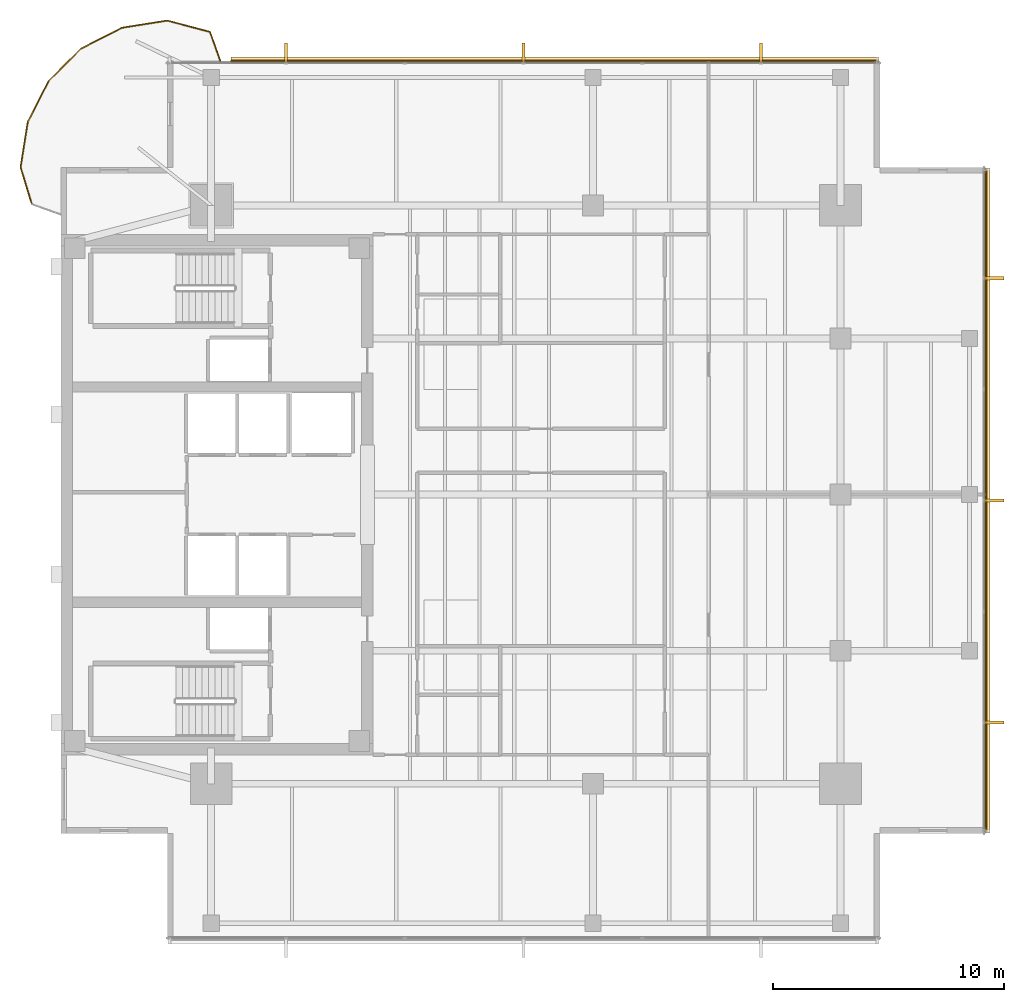
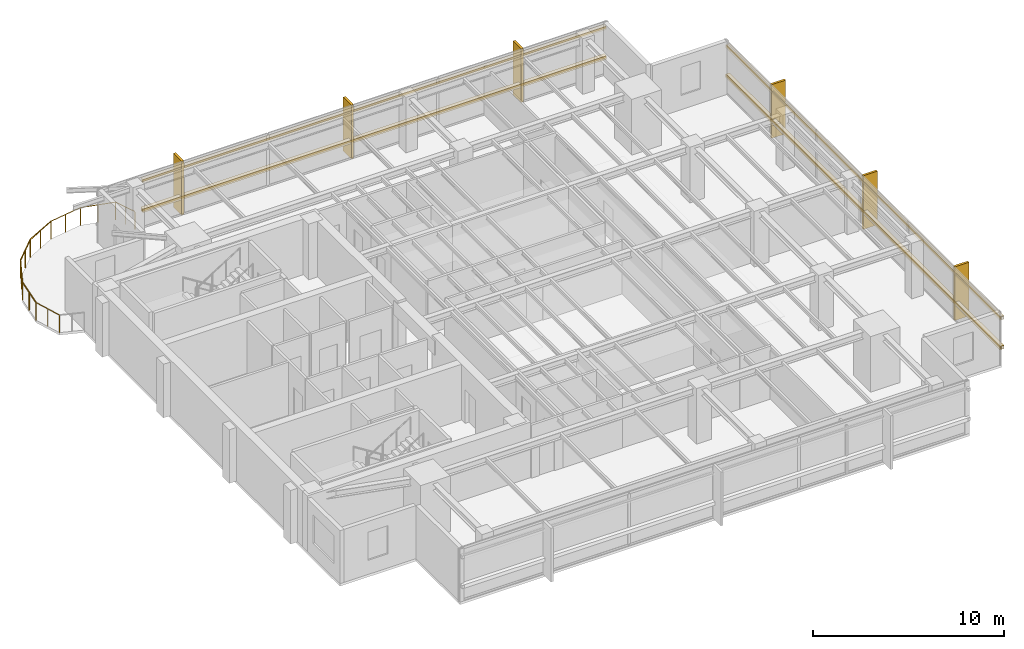
# One storey, part 14 of 14: 10 coverings, 8 railings, 4 shading devices.
"""IFC4 building model written with IfcOpenShell, lengths in metres."""

from ifc_helpers import new_model, si_unit, direction, frame, origin, origin_2d, place, context, subcontext, project, spatial, polyline, rectangle, circle, outline, extrude, material, layer, layer_set, material_profile, profile_set, type_object, element, save


model = new_model("IFC4")

# Units and contexts
model_context = context("Model", 3, precision=1e-05, world=origin(), true_north=direction((0.0, 1.0)))
body_context = subcontext(model_context, "Body", "Model", "MODEL_VIEW")
ifc_project = project(units=[si_unit("LENGTHUNIT", "METRE"), si_unit("AREAUNIT", "SQUARE_METRE"), si_unit("VOLUMEUNIT", "CUBIC_METRE"), si_unit("PLANEANGLEUNIT", "RADIAN"), si_unit("MASSUNIT", "GRAM", prefix="KILO")], contexts=[model_context])

# Site, building, storey
site_placement = place(None, origin())
site = spatial("IfcSite", under=ifc_project, at=site_placement, CompositionType="ELEMENT")
building_placement = place(site_placement, origin())
building = spatial("IfcBuilding", under=site, at=building_placement, Name="Kinhvarn Gate Tower", CompositionType="ELEMENT")
storey_placement = place(building_placement, frame((0.0, 0.0, 263.449951171875)))
storey = spatial("IfcBuildingStorey", under=building, at=storey_placement, Name="L70", CompositionType="ELEMENT", Elevation=263.449951171875)

# Coverings
ifc_material_1 = material(Name="Fired architectural terracotta", Category="masonry")
ifc_layer_1 = layer(ifc_material_1, 0.239990234375)
ifc_layer_set_1 = layer_set([ifc_layer_1], Name="Fired architectural terracotta")
covering_type_1 = type_object("IfcCoveringType", Name="COV-BAG-220", PredefinedType="CLADDING", material=ifc_layer_set_1)
covering_1_placement = place(storey_placement, frame((0.0, 0.0, 0.93994140625)))
element("IfcCovering", 1, at=covering_1_placement, inside=storey, type_object=covering_type_1, Name="Terracotta Horizontal Sunscreen Band TBG-220 (L70)", PredefinedType="CLADDING", context=body_context, shape_type="SweptSolid", body=[
    extrude(outline(polyline([(39.860107421875, 43.929931640625), (11.844970703125, 43.929931640625), (11.844970703125, 44.169921875), (39.860107421875, 44.169921875), (39.860107421875, 43.929931640625)])), origin(), (0.0, 0.0, 1.0), 0.22021484375),
])
covering_2_placement = place(storey_placement, frame((0.0, 0.0, 2.830078125)))
element("IfcCovering", 2, at=covering_2_placement, inside=storey, type_object=covering_type_1, Name="Terracotta Horizontal Sunscreen Band TBG-220 (L70)", PredefinedType="CLADDING", context=body_context, shape_type="SweptSolid", body=[
    extrude(outline(polyline([(39.860107421875, 43.929931640625), (11.844970703125, 43.929931640625), (11.844970703125, 44.169921875), (39.860107421875, 44.169921875), (39.860107421875, 43.929931640625)])), origin(), (0.0, 0.0, 1.0), 0.219970703125),
])
covering_3_placement = place(storey_placement, frame((0.0, 0.0, 0.93994140625)))
element("IfcCovering", 3, at=covering_3_placement, inside=storey, type_object=covering_type_1, Name="Terracotta Horizontal Sunscreen Band TBG-220 (L70)", PredefinedType="CLADDING", context=body_context, shape_type="SweptSolid", body=[
    extrude(outline(polyline([(44.429931640625, 10.639892578125), (44.429931640625, 39.360107421875), (44.669921875, 39.360107421875), (44.669921875, 10.639892578125), (44.429931640625, 10.639892578125)])), origin(), (0.0, 0.0, 1.0), 0.22021484375),
])
covering_4_placement = place(storey_placement, frame((0.0, 0.0, 2.830078125)))
element("IfcCovering", 4, at=covering_4_placement, inside=storey, type_object=covering_type_1, Name="Terracotta Horizontal Sunscreen Band TBG-220 (L70)", PredefinedType="CLADDING", context=body_context, shape_type="SweptSolid", body=[
    extrude(outline(polyline([(44.429931640625, 10.639892578125), (44.429931640625, 39.360107421875), (44.669921875, 39.360107421875), (44.669921875, 10.639892578125), (44.429931640625, 10.639892578125)])), origin(), (0.0, 0.0, 1.0), 0.219970703125),
])
ifc_layer_2 = layer(ifc_material_1, 0.139892578125)
ifc_layer_set_2 = layer_set([ifc_layer_2], Name="Fired architectural terracotta")
covering_type_2 = type_object("IfcCoveringType", Name="COV-FIN-850", PredefinedType="CLADDING", material=ifc_layer_set_2)
covering_5_placement = place(storey_placement, frame((0.0, 0.0, -0.02001953125)))
element("IfcCovering", 5, at=covering_5_placement, inside=storey, type_object=covering_type_2, Name="Vertical Terracotta Expressive Fin TFN-850 (L70)", PredefinedType="CLADDING", context=body_context, shape_type="SweptSolid", body=[
    extrude(outline(polyline([(34.836669921875, 43.919921875), (34.69677734375, 43.919921875), (34.69677734375, 44.77001953125), (34.836669921875, 44.77001953125), (34.836669921875, 43.919921875)])), origin(), (0.0, 0.0, 1.0), 3.43017578125),
])
covering_6_placement = place(storey_placement, frame((0.0, 0.0, -0.02001953125)))
element("IfcCovering", 6, at=covering_6_placement, inside=storey, type_object=covering_type_2, Name="Vertical Terracotta Expressive Fin TFN-850 (L70)", PredefinedType="CLADDING", context=body_context, shape_type="SweptSolid", body=[
    extrude(outline(polyline([(24.570068359375, 43.919921875), (24.429931640625, 43.919921875), (24.429931640625, 44.77001953125), (24.570068359375, 44.77001953125), (24.570068359375, 43.919921875)])), origin(), (0.0, 0.0, 1.0), 3.43017578125),
])
covering_7_placement = place(storey_placement, frame((0.0, 0.0, -0.02001953125)))
element("IfcCovering", 7, at=covering_7_placement, inside=storey, type_object=covering_type_2, Name="Vertical Terracotta Expressive Fin TFN-850 (L70)", PredefinedType="CLADDING", context=body_context, shape_type="SweptSolid", body=[
    extrude(outline(polyline([(14.30322265625, 43.919921875), (14.163330078125, 43.919921875), (14.163330078125, 44.77001953125), (14.30322265625, 44.77001953125), (14.30322265625, 43.919921875)])), origin(), (0.0, 0.0, 1.0), 3.43017578125),
])
covering_8_placement = place(storey_placement, frame((0.0, 0.0, -0.02001953125)))
element("IfcCovering", 8, at=covering_8_placement, inside=storey, type_object=covering_type_2, Name="Vertical Terracotta Expressive Fin TFN-850 (L70)", PredefinedType="CLADDING", context=body_context, shape_type="SweptSolid", body=[
    extrude(outline(polyline([(44.419921875, 15.330078125), (44.419921875, 15.469970703125), (45.27001953125, 15.469970703125), (45.27001953125, 15.330078125), (44.419921875, 15.330078125)])), origin(), (0.0, 0.0, 1.0), 3.43017578125),
])
covering_9_placement = place(storey_placement, frame((0.0, 0.0, -0.02001953125)))
element("IfcCovering", 9, at=covering_9_placement, inside=storey, type_object=covering_type_2, Name="Vertical Terracotta Expressive Fin TFN-850 (L70)", PredefinedType="CLADDING", context=body_context, shape_type="SweptSolid", body=[
    extrude(outline(polyline([(44.419921875, 24.929931640625), (44.419921875, 25.070068359375), (45.27001953125, 25.070068359375), (45.27001953125, 24.929931640625), (44.419921875, 24.929931640625)])), origin(), (0.0, 0.0, 1.0), 3.43017578125),
])
covering_10_placement = place(storey_placement, frame((0.0, 0.0, -0.02001953125)))
element("IfcCovering", 10, at=covering_10_placement, inside=storey, type_object=covering_type_2, Name="Vertical Terracotta Expressive Fin TFN-850 (L70)", PredefinedType="CLADDING", context=body_context, shape_type="SweptSolid", body=[
    extrude(outline(polyline([(44.419921875, 34.530029296875), (44.419921875, 34.669921875), (45.27001953125, 34.669921875), (45.27001953125, 34.530029296875), (44.419921875, 34.530029296875)])), origin(), (0.0, 0.0, 1.0), 3.43017578125),
])

# Railings
ifc_material_2 = material(Name="Clear low-e double glazing", Category="glass")
railing_type = type_object("IfcRailingType", Name="RL-BAL-1150", PredefinedType="BALUSTRADE", material=ifc_material_2)
railing_1_placement = place(storey_placement, frame((11.39501953125, 44.0, 0.0)))
element("IfcRailing", 11, at=railing_1_placement, inside=storey, type_object=railing_type, Name="S-Carve Balcony Guardrail Seg 1 (L70)", PredefinedType="BALUSTRADE", context=body_context, shape_type="SweptSolid", body=[
    extrude(circle(Radius=0.02392578125, at=origin_2d()), frame((0.0, 0.0, 1.1259765625), z_axis=(-0.337694109831, 0.94125591004, 0.0), x_axis=(-0.94125591004, -0.337694109831, 0.0)), (0.0, 0.0, 1.0), 1.33251953125),
    extrude(circle(Radius=0.02099609375, at=origin_2d()), origin(), (0.0, 0.0, 1.0), 1.101806640625),
    extrude(circle(Radius=0.02099609375, at=origin_2d()), frame((-0.22509765625, 0.626953125, 0.0)), (0.0, 0.0, 1.0), 1.101806640625),
    extrude(circle(Radius=0.02099609375, at=origin_2d()), frame((-0.449951171875, 1.254150390625, 0.0)), (0.0, 0.0, 1.0), 1.101806640625),
])
railing_2_placement = place(storey_placement, frame((10.945068359375, 45.254150390625, 0.0)))
element("IfcRailing", 12, at=railing_2_placement, inside=storey, type_object=railing_type, Name="S-Carve Balcony Guardrail Seg 2 (L70)", PredefinedType="BALUSTRADE", context=body_context, shape_type="SweptSolid", body=[
    extrude(circle(Radius=0.02392578125, at=origin_2d()), frame((0.0, 0.0, 1.1259765625), z_axis=(-0.966780579823, 0.255607727734, 0.0), x_axis=(-0.255607727734, -0.966780579823, 0.0)), (0.0, 0.0, 1.0), 1.908447265625),
    extrude(circle(Radius=0.02099609375, at=origin_2d()), origin(), (0.0, 0.0, 1.0), 1.101806640625),
    extrude(circle(Radius=0.02099609375, at=origin_2d()), frame((-0.92236328125, 0.243896484375, 0.0)), (0.0, 0.0, 1.0), 1.101806640625),
    extrude(circle(Radius=0.02099609375, at=origin_2d()), frame((-1.844970703125, 0.48779296875, 0.0)), (0.0, 0.0, 1.0), 1.101806640625),
])
railing_3_placement = place(storey_placement, frame((9.10009765625, 45.741943359375, 0.0)))
element("IfcRailing", 13, at=railing_3_placement, inside=storey, type_object=railing_type, Name="S-Carve Balcony Guardrail Seg 3 (L70)", PredefinedType="BALUSTRADE", context=body_context, shape_type="SweptSolid", body=[
    extrude(circle(Radius=0.02392578125, at=origin_2d()), frame((0.0, 0.0, 1.1259765625), z_axis=(-0.987698038962, -0.156373219671, 0.0), x_axis=(0.156373219671, -0.987698038962, 0.0)), (0.0, 0.0, 1.0), 1.984375),
    extrude(circle(Radius=0.02099609375, at=origin_2d()), origin(), (0.0, 0.0, 1.0), 1.101806640625),
    extrude(circle(Radius=0.02099609375, at=origin_2d()), frame((-0.97998046875, -0.1552734375, 0.0)), (0.0, 0.0, 1.0), 1.101806640625),
    extrude(circle(Radius=0.02099609375, at=origin_2d()), frame((-1.9599609375, -0.310302734375, 0.0)), (0.0, 0.0, 1.0), 1.101806640625),
])
railing_4_placement = place(storey_placement, frame((7.14013671875, 45.431640625, 0.0)))
element("IfcRailing", 14, at=railing_4_placement, inside=storey, type_object=railing_type, Name="S-Carve Balcony Guardrail Seg 4 (L70)", PredefinedType="BALUSTRADE", context=body_context, shape_type="SweptSolid", body=[
    extrude(circle(Radius=0.02392578125, at=origin_2d()), frame((0.0, 0.0, 1.1259765625), z_axis=(-0.890980330942, -0.454041903214, 0.0), x_axis=(0.454041903214, -0.890980330942, 0.0)), (0.0, 0.0, 1.0), 1.984130859375),
    extrude(circle(Radius=0.02099609375, at=origin_2d()), origin(), (0.0, 0.0, 1.0), 1.101806640625),
    extrude(circle(Radius=0.02099609375, at=origin_2d()), frame((-0.8837890625, -0.450439453125, 0.0)), (0.0, 0.0, 1.0), 1.101806640625),
    extrude(circle(Radius=0.02099609375, at=origin_2d()), frame((-1.767822265625, -0.90087890625, 0.0)), (0.0, 0.0, 1.0), 1.101806640625),
])
railing_5_placement = place(storey_placement, frame((5.372314453125, 44.53076171875, 0.0)))
element("IfcRailing", 15, at=railing_5_placement, inside=storey, type_object=railing_type, Name="S-Carve Balcony Guardrail Seg 5 (L70)", PredefinedType="BALUSTRADE", context=body_context, shape_type="SweptSolid", body=[
    extrude(circle(Radius=0.02392578125, at=origin_2d()), frame((0.0, 0.0, 1.1259765625), z_axis=(-0.707106781187, -0.707106781187, 0.0), x_axis=(0.707106781187, -0.707106781187, 0.0)), (0.0, 0.0, 1.0), 1.984130859375),
    extrude(circle(Radius=0.02099609375, at=origin_2d()), origin(), (0.0, 0.0, 1.0), 1.101806640625),
    extrude(circle(Radius=0.02099609375, at=origin_2d()), frame((-0.70166015625, -0.70166015625, 0.0)), (0.0, 0.0, 1.0), 1.101806640625),
    extrude(circle(Radius=0.02099609375, at=origin_2d()), frame((-1.403076171875, -1.403076171875, 0.0)), (0.0, 0.0, 1.0), 1.101806640625),
])
railing_6_placement = place(storey_placement, frame((3.96923828125, 43.127685546875, 0.0)))
element("IfcRailing", 16, at=railing_6_placement, inside=storey, type_object=railing_type, Name="S-Carve Balcony Guardrail Seg 6 (L70)", PredefinedType="BALUSTRADE", context=body_context, shape_type="SweptSolid", body=[
    extrude(circle(Radius=0.02392578125, at=origin_2d()), frame((0.0, 0.0, 1.1259765625), z_axis=(-0.454041903214, -0.890980330942, 0.0), x_axis=(0.890980330942, -0.454041903214, 0.0)), (0.0, 0.0, 1.0), 1.984130859375),
    extrude(circle(Radius=0.02099609375, at=origin_2d()), origin(), (0.0, 0.0, 1.0), 1.101806640625),
    extrude(circle(Radius=0.02099609375, at=origin_2d()), frame((-0.450439453125, -0.8837890625, 0.0)), (0.0, 0.0, 1.0), 1.101806640625),
    extrude(circle(Radius=0.02099609375, at=origin_2d()), frame((-0.90087890625, -1.767822265625, 0.0)), (0.0, 0.0, 1.0), 1.101806640625),
])
railing_7_placement = place(storey_placement, frame((3.068359375, 41.35986328125, 0.0)))
element("IfcRailing", 17, at=railing_7_placement, inside=storey, type_object=railing_type, Name="S-Carve Balcony Guardrail Seg 7 (L70)", PredefinedType="BALUSTRADE", context=body_context, shape_type="SweptSolid", body=[
    extrude(circle(Radius=0.02392578125, at=origin_2d()), frame((0.0, 0.0, 1.1259765625), z_axis=(-0.156373219671, -0.987698038962, 0.0), x_axis=(0.987698038962, -0.156373219671, 0.0)), (0.0, 0.0, 1.0), 1.984375),
    extrude(circle(Radius=0.02099609375, at=origin_2d()), origin(), (0.0, 0.0, 1.0), 1.101806640625),
    extrude(circle(Radius=0.02099609375, at=origin_2d()), frame((-0.1552734375, -0.97998046875, 0.0)), (0.0, 0.0, 1.0), 1.101806640625),
    extrude(circle(Radius=0.02099609375, at=origin_2d()), frame((-0.310302734375, -1.9599609375, 0.0)), (0.0, 0.0, 1.0), 1.101806640625),
])
railing_8_placement = place(storey_placement, frame((2.758056640625, 39.39990234375, 0.0)))
element("IfcRailing", 18, at=railing_8_placement, inside=storey, type_object=railing_type, Name="S-Carve Balcony Guardrail Seg 8 (L70)", PredefinedType="BALUSTRADE", context=body_context, shape_type="SweptSolid", body=[
    extrude(circle(Radius=0.02392578125, at=origin_2d()), frame((0.0, 0.0, 1.1259765625), z_axis=(0.291480883659, -0.95657665373, 0.0), x_axis=(0.95657665373, 0.291480883659, 0.0)), (0.0, 0.0, 1.0), 1.673583984375),
    extrude(circle(Radius=0.02099609375, at=origin_2d()), origin(), (0.0, 0.0, 1.0), 1.101806640625),
    extrude(circle(Radius=0.02099609375, at=origin_2d()), frame((0.243896484375, -0.80029296875, 0.0)), (0.0, 0.0, 1.0), 1.101806640625),
    extrude(circle(Radius=0.02099609375, at=origin_2d()), frame((0.48779296875, -1.600830078125, 0.0)), (0.0, 0.0, 1.0), 1.101806640625),
])

# Shading devices
ifc_material_profile = material_profile(ifc_material_1, rectangle(XDim=0.050048828125, YDim=0.1201171875, at=origin_2d()), Name="TC 50x120")
ifc_profile_set = profile_set([ifc_material_profile], Name="Fired architectural terracotta")
shading_device_type = type_object("IfcShadingDeviceType", Name="SHD-BAG-140", PredefinedType="USERDEFINED", material=ifc_profile_set)
for number, where, z_axis, x_axis, name in (
    (19, (39.860107421875, 44.0, 1.050048828125), (-1.0, 0.0, 0.0), (0.0, -1.0, 0.0), "Upper Tower Terracotta Baguette Screen Rod 50x120 mm (L70)"),
    (20, (39.860107421875, 44.0, 2.93994140625), (-1.0, 0.0, 0.0), (0.0, -1.0, 0.0), "Upper Tower Terracotta Baguette Screen Rod 50x120 mm (L70)"),
):
    element("IfcShadingDevice", number, at=place(storey_placement, frame(where, z_axis=z_axis, x_axis=x_axis)), inside=storey, type_object=shading_device_type, Name=name, ObjectType="BAGUETTE", PredefinedType="USERDEFINED", context=body_context, shape_type="SweptSolid", body=[
        extrude(rectangle(XDim=0.050048828125, YDim=0.1201171875, at=origin_2d()), origin(), (0.0, 0.0, 1.0), 28.01513671875),
    ])
for number, where, z_axis, x_axis, name in (
    (21, (44.5, 10.639892578125, 1.050048828125), (0.0, 1.0, 0.0), (-1.0, 0.0, 0.0), "Upper Tower Terracotta Baguette Screen Rod 50x120 mm (L70)"),
    (22, (44.5, 10.639892578125, 2.93994140625), (0.0, 1.0, 0.0), (-1.0, 0.0, 0.0), "Upper Tower Terracotta Baguette Screen Rod 50x120 mm (L70)"),
):
    element("IfcShadingDevice", number, at=place(storey_placement, frame(where, z_axis=z_axis, x_axis=x_axis)), inside=storey, type_object=shading_device_type, Name=name, ObjectType="BAGUETTE", PredefinedType="USERDEFINED", context=body_context, shape_type="SweptSolid", body=[
        extrude(rectangle(XDim=0.050048828125, YDim=0.1201171875, at=origin_2d()), origin(), (0.0, 0.0, 1.0), 28.72021484375),
    ])

save(model, "model.ifc")
